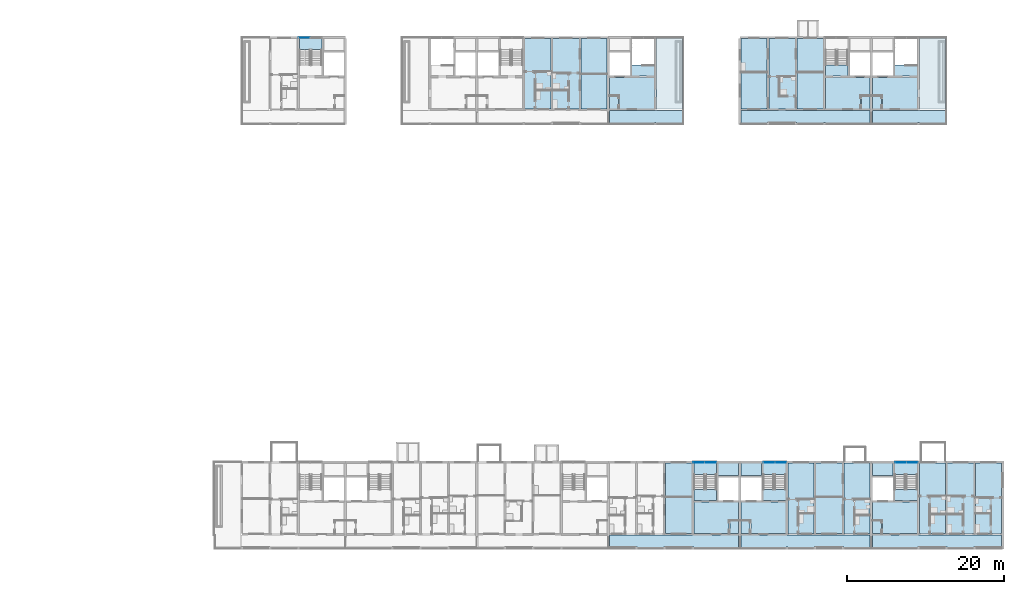
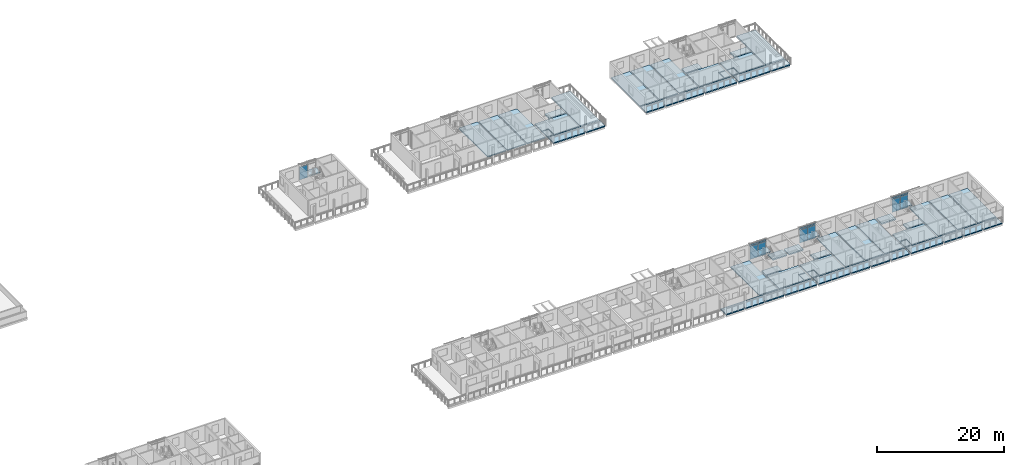
# One storey, part 34 of 87: 46 slabs, 13 plates, 8 elements without a shape of their own.
"""IFC4 building model written with IfcOpenShell, lengths in metres."""

from ifc_helpers import new_model, si_unit, direction, frame, origin, origin_2d, place, context, subcontext, project, spatial, polyline, rectangle, outline, extrude, material, layer, layer_set, type_object, element, aggregate, save


model = new_model("IFC4")

# Units and contexts
model_context = context("Model", 3, precision=1e-05, world=origin(), true_north=direction((0.0, 1.0)))
body_context = subcontext(model_context, "Body", "Model", "MODEL_VIEW")
ifc_project = project(units=[si_unit("LENGTHUNIT", "METRE"), si_unit("AREAUNIT", "SQUARE_METRE"), si_unit("VOLUMEUNIT", "CUBIC_METRE"), si_unit("PLANEANGLEUNIT", "RADIAN"), si_unit("MASSUNIT", "GRAM", prefix="KILO")], contexts=[model_context])

# Site, building, storey
site_placement = place(None, origin())
site = spatial("IfcSite", under=ifc_project, at=site_placement, CompositionType="ELEMENT")
building_placement = place(site_placement, origin())
building = spatial("IfcBuilding", under=site, at=building_placement, Name="Ridgestep Commons", CompositionType="ELEMENT")
storey_placement = place(building_placement, frame((0.0, 0.0, 27.0)))
storey = spatial("IfcBuildingStorey", under=building, at=storey_placement, Name="L09", CompositionType="ELEMENT", Elevation=27.0)

# Slabs
ifc_material_1 = material(Name="Precast concrete C40/50", Category="concrete")
ifc_layer_1 = layer(ifc_material_1, 0.199951171875)
ifc_layer_set_1 = layer_set([ifc_layer_1], Name="Gallery slab 200")
slab_type_1 = type_object("IfcSlabType", Name="Gallery slab 200", PredefinedType="FLOOR", material=ifc_layer_set_1)
slab_1_placement = place(storey_placement, frame((0.0, 0.0, -0.199951171875)))
element("IfcSlab", 1, at=slab_1_placement, inside=storey, type_object=slab_type_1, Name="Gallery slab C4 L09", PredefinedType="FLOOR", context=body_context, shape_type="SweptSolid", body=[
    extrude(outline(polyline([(197.35009765625, 67.800048828125), (197.35009765625, 66.0), (203.074951171875, 66.0), (203.074951171875, 66.25), (203.324951171875, 66.25), (203.324951171875, 66.0), (206.675048828125, 66.0), (206.675048828125, 66.25), (206.800048828125, 66.25), (206.800048828125, 67.800048828125), (197.35009765625, 67.800048828125)])), origin(), (0.0, 0.0, 1.0), 0.199951171875),
])
slab_2_placement = place(storey_placement, frame((0.0, 0.0, -0.199951171875)))
element("IfcSlab", 2, at=slab_2_placement, inside=storey, type_object=slab_type_1, Name="Gallery slab C5 L09", PredefinedType="FLOOR", context=body_context, shape_type="SweptSolid", body=[
    extrude(outline(polyline([(230.64990234375, 67.800048828125), (214.14990234375, 67.800048828125), (214.14990234375, 66.0), (217.47509765625, 66.0), (217.47509765625, 66.25), (217.72509765625, 66.25), (217.72509765625, 66.0), (221.074951171875, 66.0), (221.074951171875, 66.25), (221.324951171875, 66.25), (221.324951171875, 66.0), (224.675048828125, 66.0), (224.675048828125, 66.25), (224.925048828125, 66.25), (224.925048828125, 66.0), (230.64990234375, 66.0), (230.64990234375, 67.800048828125)])), origin(), (0.0, 0.0, 1.0), 0.199951171875),
])
slab_3_placement = place(storey_placement, frame((0.0, 0.0, -0.199951171875)))
element("IfcSlab", 3, at=slab_3_placement, inside=storey, type_object=slab_type_1, Name="Gallery slab C6 L09", PredefinedType="FLOOR", context=body_context, shape_type="SweptSolid", body=[
    extrude(outline(polyline([(230.949951171875, 67.800048828125), (230.949951171875, 66.0), (236.675048828125, 66.0), (236.675048828125, 66.25), (236.925048828125, 66.25), (236.925048828125, 66.0), (240.27490234375, 66.0), (240.27490234375, 66.25), (240.39990234375, 66.25), (240.39990234375, 67.800048828125), (230.949951171875, 67.800048828125)])), origin(), (0.0, 0.0, 1.0), 0.199951171875),
])
slab_4_placement = place(storey_placement, frame((0.0, 0.0, -0.199951171875)))
element("IfcSlab", 4, at=slab_4_placement, inside=storey, type_object=slab_type_1, Name="Gallery slab D4 L09", PredefinedType="FLOOR", context=body_context, shape_type="SweptSolid", body=[
    extrude(outline(polyline([(213.85009765625, 13.550048828125), (197.35009765625, 13.550048828125), (197.35009765625, 11.75), (200.675048828125, 11.75), (200.675048828125, 12.0), (200.925048828125, 12.0), (200.925048828125, 11.75), (204.27490234375, 11.75), (204.27490234375, 12.0), (204.52490234375, 12.0), (204.52490234375, 11.75), (207.875, 11.75), (207.875, 12.0), (208.125, 12.0), (208.125, 11.75), (213.85009765625, 11.75), (213.85009765625, 13.550048828125)])), origin(), (0.0, 0.0, 1.0), 0.199951171875),
])
slab_5_placement = place(storey_placement, frame((0.0, 0.0, -0.199951171875)))
element("IfcSlab", 5, at=slab_5_placement, inside=storey, type_object=slab_type_1, Name="Gallery slab D5 L09", PredefinedType="FLOOR", context=body_context, shape_type="SweptSolid", body=[
    extrude(outline(polyline([(230.64990234375, 13.550048828125), (214.14990234375, 13.550048828125), (214.14990234375, 11.75), (219.875, 11.75), (219.875, 12.0), (220.125, 12.0), (220.125, 11.75), (223.47509765625, 11.75), (223.47509765625, 12.0), (223.72509765625, 12.0), (223.72509765625, 11.75), (227.074951171875, 11.75), (227.074951171875, 12.0), (227.324951171875, 12.0), (227.324951171875, 11.75), (230.64990234375, 11.75), (230.64990234375, 13.550048828125)])), origin(), (0.0, 0.0, 1.0), 0.199951171875),
])
slab_6_placement = place(storey_placement, frame((0.0, 0.0, -0.199951171875)))
element("IfcSlab", 6, at=slab_6_placement, inside=storey, type_object=slab_type_1, Name="Gallery slab D6 L09", PredefinedType="FLOOR", context=body_context, shape_type="SweptSolid", body=[
    extrude(outline(polyline([(247.449951171875, 13.550048828125), (230.949951171875, 13.550048828125), (230.949951171875, 11.75), (236.675048828125, 11.75), (236.675048828125, 12.0), (236.925048828125, 12.0), (236.925048828125, 11.75), (240.27490234375, 11.75), (240.27490234375, 12.0), (240.52490234375, 12.0), (240.52490234375, 11.75), (243.875, 11.75), (243.875, 12.0), (244.125, 12.0), (244.125, 11.75), (247.449951171875, 11.75), (247.449951171875, 13.550048828125)])), origin(), (0.0, 0.0, 1.0), 0.199951171875),
])

# Curtain wall, plates
ifc_material_2 = material(Name="Aluminium 6063-T6 and glass", Category="aluminium")
curtain_wall_type = type_object("IfcCurtainWallType", Name="Curtain wall stair strip", PredefinedType="NOTDEFINED", material=ifc_material_2)
curtain_wall_1_placement = place(storey_placement, origin())
curtain_wall_1 = element("IfcCurtainWall", 7, at=curtain_wall_1_placement, inside=storey, type_object=curtain_wall_type, Name="Curtain wall D4C level 09", PredefinedType="NOTDEFINED")
ifc_material_3 = material(Name="Glass laminated 6/16/6 low-emissivity", Category="glass")
ifc_layer_2 = layer(ifc_material_3, 0.028076171875)
ifc_layer_set_2 = layer_set([ifc_layer_2], Name="Glazing panel 28")
plate_type_1 = type_object("IfcPlateType", Name="Glazing panel 28", PredefinedType="CURTAIN_PANEL", material=ifc_layer_set_2)
plate_1_placement = place(storey_placement, frame((208.771240234375, 22.830078125, 0.06005859375), z_axis=(0.0, 0.0, 1.0), x_axis=(1.0, 0.0, 0.0)))
plate_1 = element("IfcPlate", 8, at=plate_1_placement, type_object=plate_type_1, Name="CW1 panel 1.1", PredefinedType="CURTAIN_PANEL", context=body_context, shape_type="SweptSolid", body=[
    extrude(rectangle(XDim=1.422607421875, YDim=0.028076171875, at=origin_2d()), origin(), (0.0, 0.0, 1.0), 2.5),
])
plate_2_placement = place(storey_placement, frame((210.253662109375, 22.830078125, 0.06005859375), z_axis=(0.0, 0.0, 1.0), x_axis=(1.0, 0.0, 0.0)))
plate_2 = element("IfcPlate", 9, at=plate_2_placement, type_object=plate_type_1, Name="CW1 panel 2.1", PredefinedType="CURTAIN_PANEL", context=body_context, shape_type="SweptSolid", body=[
    extrude(rectangle(XDim=1.422607421875, YDim=0.028076171875, at=origin_2d()), origin(), (0.0, 0.0, 1.0), 2.5),
])

curtain_wall_2_placement = place(storey_placement, origin())
curtain_wall_2 = element("IfcCurtainWall", 10, at=curtain_wall_2_placement, inside=storey, type_object=curtain_wall_type, Name="Curtain wall D5C level 09", PredefinedType="NOTDEFINED")
plate_3_placement = place(storey_placement, frame((217.746337890625, 22.830078125, 0.06005859375), z_axis=(0.0, 0.0, 1.0), x_axis=(1.0, 0.0, 0.0)))
plate_3 = element("IfcPlate", 11, at=plate_3_placement, type_object=plate_type_1, Name="CW1 panel 1.1", PredefinedType="CURTAIN_PANEL", context=body_context, shape_type="SweptSolid", body=[
    extrude(rectangle(XDim=1.422607421875, YDim=0.028076171875, at=origin_2d()), origin(), (0.0, 0.0, 1.0), 2.5),
])
plate_4_placement = place(storey_placement, frame((219.228759765625, 22.830078125, 0.06005859375), z_axis=(0.0, 0.0, 1.0), x_axis=(1.0, 0.0, 0.0)))
plate_4 = element("IfcPlate", 12, at=plate_4_placement, type_object=plate_type_1, Name="CW1 panel 2.1", PredefinedType="CURTAIN_PANEL", context=body_context, shape_type="SweptSolid", body=[
    extrude(rectangle(XDim=1.422607421875, YDim=0.028076171875, at=origin_2d()), origin(), (0.0, 0.0, 1.0), 2.5),
])

curtain_wall_3_placement = place(storey_placement, origin())
curtain_wall_3 = element("IfcCurtainWall", 13, at=curtain_wall_3_placement, inside=storey, type_object=curtain_wall_type, Name="Curtain wall D6C level 09", PredefinedType="NOTDEFINED")
plate_5_placement = place(storey_placement, frame((234.546142578125, 22.830078125, 0.06005859375), z_axis=(0.0, 0.0, 1.0), x_axis=(1.0, 0.0, 0.0)))
plate_5 = element("IfcPlate", 14, at=plate_5_placement, type_object=plate_type_1, Name="CW1 panel 1.1", PredefinedType="CURTAIN_PANEL", context=body_context, shape_type="SweptSolid", body=[
    extrude(rectangle(XDim=1.422607421875, YDim=0.028076171875, at=origin_2d()), origin(), (0.0, 0.0, 1.0), 2.5),
])
plate_6_placement = place(storey_placement, frame((236.02880859375, 22.830078125, 0.06005859375), z_axis=(0.0, 0.0, 1.0), x_axis=(1.0, 0.0, 0.0)))
plate_6 = element("IfcPlate", 15, at=plate_6_placement, type_object=plate_type_1, Name="CW1 panel 2.1", PredefinedType="CURTAIN_PANEL", context=body_context, shape_type="SweptSolid", body=[
    extrude(rectangle(XDim=1.422607421875, YDim=0.028076171875, at=origin_2d()), origin(), (0.0, 0.0, 1.0), 2.5),
])

# Curtain wall, plate
curtain_wall_4_placement = place(storey_placement, origin())
curtain_wall_4 = element("IfcCurtainWall", 16, at=curtain_wall_4_placement, inside=storey, type_object=curtain_wall_type, Name="Curtain wall C1C level 09", PredefinedType="NOTDEFINED")
plate_7_placement = place(storey_placement, frame((158.371337890625, 77.080078125, 0.06005859375), z_axis=(0.0, 0.0, 1.0), x_axis=(1.0, 0.0, 0.0)))
plate_7 = element("IfcPlate", 17, at=plate_7_placement, type_object=plate_type_1, Name="CW1 panel 1.1", PredefinedType="CURTAIN_PANEL", context=body_context, shape_type="SweptSolid", body=[
    extrude(rectangle(XDim=1.422607421875, YDim=0.028076171875, at=origin_2d()), origin(), (0.0, 0.0, 1.0), 2.5),
])
aggregate(curtain_wall_4, [plate_7])

# Slabs
ifc_material_4 = material(Name="Precast concrete C50/60", Category="concrete")
ifc_layer_3 = layer(ifc_material_4, 0.199951171875)
ifc_layer_set_3 = layer_set([ifc_layer_3], Name="Hollow-core plank 200")
slab_type_2 = type_object("IfcSlabType", Name="Hollow-core plank 200", PredefinedType="FLOOR", material=ifc_layer_set_3)
slab_7_placement = place(storey_placement, frame((0.0, 0.0, -0.199951171875)))
element("IfcSlab", 18, at=slab_7_placement, inside=storey, type_object=slab_type_2, Name="Floor plank C3T3 L09", PredefinedType="FLOOR", context=body_context, shape_type="SweptSolid", body=[
    extrude(outline(polyline([(189.89990234375, 68.0), (189.89990234375, 77.0), (186.52490234375, 77.0), (186.52490234375, 68.0), (189.89990234375, 68.0)])), origin(), (0.0, 0.0, 1.0), 0.199951171875),
])
slab_8_placement = place(storey_placement, frame((0.0, 0.0, -0.199951171875)))
element("IfcSlab", 19, at=slab_8_placement, inside=storey, type_object=slab_type_2, Name="Floor plank C3T2 L09", PredefinedType="FLOOR", context=body_context, shape_type="SweptSolid", body=[
    extrude(outline(polyline([(193.5, 68.0), (193.5, 77.0), (190.10009765625, 77.0), (190.10009765625, 68.0), (193.5, 68.0)])), origin(), (0.0, 0.0, 1.0), 0.199951171875),
])
slab_9_placement = place(storey_placement, frame((0.0, 0.0, -0.199951171875)))
element("IfcSlab", 20, at=slab_9_placement, inside=storey, type_object=slab_type_2, Name="Floor plank C3T1 L09", PredefinedType="FLOOR", context=body_context, shape_type="SweptSolid", body=[
    extrude(outline(polyline([(197.050048828125, 68.0), (197.050048828125, 77.0), (193.699951171875, 77.0), (193.699951171875, 68.0), (197.050048828125, 68.0)])), origin(), (0.0, 0.0, 1.0), 0.199951171875),
])
slab_10_placement = place(storey_placement, frame((0.0, 0.0, -0.199951171875)))
element("IfcSlab", 21, at=slab_10_placement, inside=storey, type_object=slab_type_2, Name="Floor plank C5T1 L09", PredefinedType="FLOOR", context=body_context, shape_type="SweptSolid", body=[
    extrude(outline(polyline([(217.5, 68.0), (217.5, 77.0), (214.14990234375, 77.0), (214.14990234375, 68.0), (217.5, 68.0)])), origin(), (0.0, 0.0, 1.0), 0.199951171875),
])
slab_11_placement = place(storey_placement, frame((0.0, 0.0, -0.199951171875)))
element("IfcSlab", 22, at=slab_11_placement, inside=storey, type_object=slab_type_2, Name="Floor plank C5T2 L09", PredefinedType="FLOOR", context=body_context, shape_type="SweptSolid", body=[
    extrude(outline(polyline([(221.10009765625, 68.0), (221.10009765625, 77.0), (217.699951171875, 77.0), (217.699951171875, 68.0), (221.10009765625, 68.0)])), origin(), (0.0, 0.0, 1.0), 0.199951171875),
])
slab_12_placement = place(storey_placement, frame((0.0, 0.0, -0.199951171875)))
element("IfcSlab", 23, at=slab_12_placement, inside=storey, type_object=slab_type_2, Name="Floor plank C5T3 L09", PredefinedType="FLOOR", context=body_context, shape_type="SweptSolid", body=[
    extrude(outline(polyline([(224.675048828125, 68.0), (224.675048828125, 77.0), (221.300048828125, 77.0), (221.300048828125, 68.0), (224.675048828125, 68.0)])), origin(), (0.0, 0.0, 1.0), 0.199951171875),
])
slab_13_placement = place(storey_placement, frame((0.0, 0.0, -0.199951171875)))
element("IfcSlab", 24, at=slab_13_placement, inside=storey, type_object=slab_type_2, Name="Floor plank D4T3 L09", PredefinedType="FLOOR", context=body_context, shape_type="SweptSolid", body=[
    extrude(outline(polyline([(207.875, 13.75), (207.875, 22.75), (204.5, 22.75), (204.5, 13.75), (207.875, 13.75)])), origin(), (0.0, 0.0, 1.0), 0.199951171875),
])
slab_14_placement = place(storey_placement, frame((0.0, 0.0, -0.199951171875)))
element("IfcSlab", 25, at=slab_14_placement, inside=storey, type_object=slab_type_2, Name="Floor plank D5T3 L09", PredefinedType="FLOOR", context=body_context, shape_type="SweptSolid", body=[
    extrude(outline(polyline([(223.5, 13.75), (223.5, 22.75), (220.125, 22.75), (220.125, 13.75), (223.5, 13.75)])), origin(), (0.0, 0.0, 1.0), 0.199951171875),
])
slab_15_placement = place(storey_placement, frame((0.0, 0.0, -0.199951171875)))
element("IfcSlab", 26, at=slab_15_placement, inside=storey, type_object=slab_type_2, Name="Floor plank D5T2 L09", PredefinedType="FLOOR", context=body_context, shape_type="SweptSolid", body=[
    extrude(outline(polyline([(227.10009765625, 13.75), (227.10009765625, 22.75), (223.699951171875, 22.75), (223.699951171875, 13.75), (227.10009765625, 13.75)])), origin(), (0.0, 0.0, 1.0), 0.199951171875),
])
slab_16_placement = place(storey_placement, frame((0.0, 0.0, -0.199951171875)))
element("IfcSlab", 27, at=slab_16_placement, inside=storey, type_object=slab_type_2, Name="Floor plank D5T1 L09", PredefinedType="FLOOR", context=body_context, shape_type="SweptSolid", body=[
    extrude(outline(polyline([(230.64990234375, 13.75), (230.64990234375, 22.75), (227.300048828125, 22.75), (227.300048828125, 13.75), (230.64990234375, 13.75)])), origin(), (0.0, 0.0, 1.0), 0.199951171875),
])
slab_17_placement = place(storey_placement, frame((0.0, 0.0, -0.199951171875)))
element("IfcSlab", 28, at=slab_17_placement, inside=storey, type_object=slab_type_2, Name="Floor plank D6T3 L09", PredefinedType="FLOOR", context=body_context, shape_type="SweptSolid", body=[
    extrude(outline(polyline([(240.300048828125, 13.75), (240.300048828125, 22.75), (236.925048828125, 22.75), (236.925048828125, 13.75), (240.300048828125, 13.75)])), origin(), (0.0, 0.0, 1.0), 0.199951171875),
])
slab_18_placement = place(storey_placement, frame((0.0, 0.0, -0.199951171875)))
element("IfcSlab", 29, at=slab_18_placement, inside=storey, type_object=slab_type_2, Name="Floor plank D6T2 L09", PredefinedType="FLOOR", context=body_context, shape_type="SweptSolid", body=[
    extrude(outline(polyline([(243.89990234375, 13.75), (243.89990234375, 22.75), (240.5, 22.75), (240.5, 13.75), (243.89990234375, 13.75)])), origin(), (0.0, 0.0, 1.0), 0.199951171875),
])
slab_19_placement = place(storey_placement, frame((0.0, 0.0, -0.199951171875)))
element("IfcSlab", 30, at=slab_19_placement, inside=storey, type_object=slab_type_2, Name="Floor plank D6T1 L09", PredefinedType="FLOOR", context=body_context, shape_type="SweptSolid", body=[
    extrude(outline(polyline([(247.449951171875, 13.75), (247.449951171875, 22.75), (244.10009765625, 22.75), (244.10009765625, 13.75), (247.449951171875, 13.75)])), origin(), (0.0, 0.0, 1.0), 0.199951171875),
])
ifc_material_5 = material(Name="Precast concrete C50/60", Category="concrete")
ifc_layer_4 = layer(ifc_material_5, 0.25)
ifc_layer_set_4 = layer_set([ifc_layer_4], Name="Hollow-core plank 250")
slab_type_3 = type_object("IfcSlabType", Name="Hollow-core plank 250", PredefinedType="FLOOR", material=ifc_layer_set_4)
slab_20_placement = place(storey_placement, frame((0.0, 0.0, -0.25)))
element("IfcSlab", 31, at=slab_20_placement, inside=storey, type_object=slab_type_3, Name="Floor plank C4C L09", PredefinedType="FLOOR", context=body_context, shape_type="SweptSolid", body=[
    extrude(outline(polyline([(198.60009765625, 68.0), (203.074951171875, 68.0), (203.074951171875, 72.0), (197.35009765625, 72.0), (197.35009765625, 69.719970703125), (198.47998046875, 69.719970703125), (198.60009765625, 69.719970703125), (198.60009765625, 68.0)])), origin(), (0.0, 0.0, 1.0), 0.25),
])
slab_21_placement = place(storey_placement, frame((0.0, 0.0, -0.25)))
element("IfcSlab", 32, at=slab_21_placement, inside=storey, type_object=slab_type_3, Name="Floor plank C4C L09", PredefinedType="FLOOR", context=body_context, shape_type="SweptSolid", body=[
    extrude(outline(polyline([(203.074951171875, 72.199951171875), (203.074951171875, 73.60009765625), (200.175048828125, 73.60009765625), (200.175048828125, 72.199951171875), (203.074951171875, 72.199951171875)])), origin(), (0.0, 0.0, 1.0), 0.25),
])
slab_22_placement = place(storey_placement, frame((0.0, 0.0, -0.25)))
element("IfcSlab", 33, at=slab_22_placement, inside=storey, type_object=slab_type_3, Name="Floor plank C4C L09", PredefinedType="FLOOR", context=body_context, shape_type="SweptSolid", body=[
    extrude(outline(polyline([(198.47998046875, 69.60009765625), (197.35009765625, 69.60009765625), (197.35009765625, 68.0), (198.47998046875, 68.0), (198.47998046875, 69.60009765625)])), origin(), (0.0, 0.0, 1.0), 0.25),
])
slab_23_placement = place(storey_placement, frame((0.0, 0.0, -0.25)))
element("IfcSlab", 34, at=slab_23_placement, inside=storey, type_object=slab_type_3, Name="Floor plank C5C L09", PredefinedType="FLOOR", context=body_context, shape_type="SweptSolid", body=[
    extrude(outline(polyline([(229.52001953125, 69.719970703125), (230.64990234375, 69.719970703125), (230.64990234375, 72.0), (224.925048828125, 72.0), (224.925048828125, 68.0), (229.39990234375, 68.0), (229.39990234375, 69.719970703125), (229.52001953125, 69.719970703125)])), origin(), (0.0, 0.0, 1.0), 0.25),
])
slab_24_placement = place(storey_placement, frame((0.0, 0.0, -0.25)))
element("IfcSlab", 35, at=slab_24_placement, inside=storey, type_object=slab_type_3, Name="Floor plank C5C L09", PredefinedType="FLOOR", context=body_context, shape_type="SweptSolid", body=[
    extrude(outline(polyline([(227.824951171875, 72.199951171875), (227.824951171875, 73.60009765625), (224.925048828125, 73.60009765625), (224.925048828125, 72.199951171875), (227.824951171875, 72.199951171875)])), origin(), (0.0, 0.0, 1.0), 0.25),
])
slab_25_placement = place(storey_placement, frame((0.0, 0.0, -0.25)))
element("IfcSlab", 36, at=slab_25_placement, inside=storey, type_object=slab_type_3, Name="Floor plank C5C L09", PredefinedType="FLOOR", context=body_context, shape_type="SweptSolid", body=[
    extrude(outline(polyline([(229.52001953125, 68.0), (230.64990234375, 68.0), (230.64990234375, 69.60009765625), (229.52001953125, 69.60009765625), (229.52001953125, 68.0)])), origin(), (0.0, 0.0, 1.0), 0.25),
])
slab_26_placement = place(storey_placement, frame((0.0, 0.0, -0.25)))
element("IfcSlab", 37, at=slab_26_placement, inside=storey, type_object=slab_type_3, Name="Floor plank C6C L09", PredefinedType="FLOOR", context=body_context, shape_type="SweptSolid", body=[
    extrude(outline(polyline([(232.199951171875, 68.0), (236.675048828125, 68.0), (236.675048828125, 72.0), (230.949951171875, 72.0), (230.949951171875, 69.719970703125), (232.080078125, 69.719970703125), (232.199951171875, 69.719970703125), (232.199951171875, 68.0)])), origin(), (0.0, 0.0, 1.0), 0.25),
])
slab_27_placement = place(storey_placement, frame((0.0, 0.0, -0.25)))
element("IfcSlab", 38, at=slab_27_placement, inside=storey, type_object=slab_type_3, Name="Floor plank C6C L09", PredefinedType="FLOOR", context=body_context, shape_type="SweptSolid", body=[
    extrude(outline(polyline([(236.675048828125, 72.199951171875), (236.675048828125, 73.60009765625), (233.77490234375, 73.60009765625), (233.77490234375, 72.199951171875), (236.675048828125, 72.199951171875)])), origin(), (0.0, 0.0, 1.0), 0.25),
])
slab_28_placement = place(storey_placement, frame((0.0, 0.0, -0.25)))
element("IfcSlab", 39, at=slab_28_placement, inside=storey, type_object=slab_type_3, Name="Floor plank C6C L09", PredefinedType="FLOOR", context=body_context, shape_type="SweptSolid", body=[
    extrude(outline(polyline([(232.080078125, 69.60009765625), (230.949951171875, 69.60009765625), (230.949951171875, 68.0), (232.080078125, 68.0), (232.080078125, 69.60009765625)])), origin(), (0.0, 0.0, 1.0), 0.25),
])
slab_29_placement = place(storey_placement, frame((0.0, 0.0, -0.25)))
element("IfcSlab", 40, at=slab_29_placement, inside=storey, type_object=slab_type_3, Name="Floor plank D4C L09", PredefinedType="FLOOR", context=body_context, shape_type="SweptSolid", body=[
    extrude(outline(polyline([(212.719970703125, 15.469970703125), (213.85009765625, 15.469970703125), (213.85009765625, 17.75), (208.125, 17.75), (208.125, 13.75), (212.60009765625, 13.75), (212.60009765625, 15.469970703125), (212.719970703125, 15.469970703125)])), origin(), (0.0, 0.0, 1.0), 0.25),
])
slab_30_placement = place(storey_placement, frame((0.0, 0.0, -0.25)))
element("IfcSlab", 41, at=slab_30_placement, inside=storey, type_object=slab_type_3, Name="Floor plank D4C L09", PredefinedType="FLOOR", context=body_context, shape_type="SweptSolid", body=[
    extrude(outline(polyline([(213.85009765625, 21.14990234375), (213.85009765625, 22.75), (211.22509765625, 22.75), (211.22509765625, 21.14990234375), (213.85009765625, 21.14990234375)])), origin(), (0.0, 0.0, 1.0), 0.25),
])
slab_31_placement = place(storey_placement, frame((0.0, 0.0, -0.25)))
element("IfcSlab", 42, at=slab_31_placement, inside=storey, type_object=slab_type_3, Name="Floor plank D4C L09", PredefinedType="FLOOR", context=body_context, shape_type="SweptSolid", body=[
    extrude(outline(polyline([(211.02490234375, 17.949951171875), (211.02490234375, 19.35009765625), (208.125, 19.35009765625), (208.125, 17.949951171875), (211.02490234375, 17.949951171875)])), origin(), (0.0, 0.0, 1.0), 0.25),
])
slab_32_placement = place(storey_placement, frame((0.0, 0.0, -0.25)))
element("IfcSlab", 43, at=slab_32_placement, inside=storey, type_object=slab_type_3, Name="Floor plank D4C L09", PredefinedType="FLOOR", context=body_context, shape_type="SweptSolid", body=[
    extrude(outline(polyline([(212.719970703125, 13.75), (213.85009765625, 13.75), (213.85009765625, 15.35009765625), (212.719970703125, 15.35009765625), (212.719970703125, 13.75)])), origin(), (0.0, 0.0, 1.0), 0.25),
])
slab_33_placement = place(storey_placement, frame((0.0, 0.0, -0.25)))
element("IfcSlab", 44, at=slab_33_placement, inside=storey, type_object=slab_type_3, Name="Floor plank D5C L09", PredefinedType="FLOOR", context=body_context, shape_type="SweptSolid", body=[
    extrude(outline(polyline([(215.39990234375, 13.75), (219.875, 13.75), (219.875, 17.75), (214.14990234375, 17.75), (214.14990234375, 15.469970703125), (215.280029296875, 15.469970703125), (215.39990234375, 15.469970703125), (215.39990234375, 13.75)])), origin(), (0.0, 0.0, 1.0), 0.25),
])
slab_34_placement = place(storey_placement, frame((0.0, 0.0, -0.25)))
element("IfcSlab", 45, at=slab_34_placement, inside=storey, type_object=slab_type_3, Name="Floor plank D5C L09", PredefinedType="FLOOR", context=body_context, shape_type="SweptSolid", body=[
    extrude(outline(polyline([(216.77490234375, 22.75), (214.14990234375, 22.75), (214.14990234375, 21.14990234375), (216.77490234375, 21.14990234375), (216.77490234375, 22.75)])), origin(), (0.0, 0.0, 1.0), 0.25),
])
slab_35_placement = place(storey_placement, frame((0.0, 0.0, -0.25)))
element("IfcSlab", 46, at=slab_35_placement, inside=storey, type_object=slab_type_3, Name="Floor plank D5C L09", PredefinedType="FLOOR", context=body_context, shape_type="SweptSolid", body=[
    extrude(outline(polyline([(219.875, 17.949951171875), (219.875, 19.35009765625), (216.97509765625, 19.35009765625), (216.97509765625, 17.949951171875), (219.875, 17.949951171875)])), origin(), (0.0, 0.0, 1.0), 0.25),
])
slab_36_placement = place(storey_placement, frame((0.0, 0.0, -0.25)))
element("IfcSlab", 47, at=slab_36_placement, inside=storey, type_object=slab_type_3, Name="Floor plank D5C L09", PredefinedType="FLOOR", context=body_context, shape_type="SweptSolid", body=[
    extrude(outline(polyline([(215.280029296875, 15.35009765625), (214.14990234375, 15.35009765625), (214.14990234375, 13.75), (215.280029296875, 13.75), (215.280029296875, 15.35009765625)])), origin(), (0.0, 0.0, 1.0), 0.25),
])
slab_37_placement = place(storey_placement, frame((0.0, 0.0, -0.25)))
element("IfcSlab", 48, at=slab_37_placement, inside=storey, type_object=slab_type_3, Name="Floor plank D6C L09", PredefinedType="FLOOR", context=body_context, shape_type="SweptSolid", body=[
    extrude(outline(polyline([(232.199951171875, 13.75), (236.675048828125, 13.75), (236.675048828125, 17.75), (230.949951171875, 17.75), (230.949951171875, 15.469970703125), (232.080078125, 15.469970703125), (232.199951171875, 15.469970703125), (232.199951171875, 13.75)])), origin(), (0.0, 0.0, 1.0), 0.25),
])
slab_38_placement = place(storey_placement, frame((0.0, 0.0, -0.25)))
element("IfcSlab", 49, at=slab_38_placement, inside=storey, type_object=slab_type_3, Name="Floor plank D6C L09", PredefinedType="FLOOR", context=body_context, shape_type="SweptSolid", body=[
    extrude(outline(polyline([(233.574951171875, 22.75), (230.949951171875, 22.75), (230.949951171875, 21.14990234375), (233.574951171875, 21.14990234375), (233.574951171875, 22.75)])), origin(), (0.0, 0.0, 1.0), 0.25),
])
slab_39_placement = place(storey_placement, frame((0.0, 0.0, -0.25)))
element("IfcSlab", 50, at=slab_39_placement, inside=storey, type_object=slab_type_3, Name="Floor plank D6C L09", PredefinedType="FLOOR", context=body_context, shape_type="SweptSolid", body=[
    extrude(outline(polyline([(236.675048828125, 17.949951171875), (236.675048828125, 19.35009765625), (233.77490234375, 19.35009765625), (233.77490234375, 17.949951171875), (236.675048828125, 17.949951171875)])), origin(), (0.0, 0.0, 1.0), 0.25),
])
slab_40_placement = place(storey_placement, frame((0.0, 0.0, -0.25)))
element("IfcSlab", 51, at=slab_40_placement, inside=storey, type_object=slab_type_3, Name="Floor plank D6C L09", PredefinedType="FLOOR", context=body_context, shape_type="SweptSolid", body=[
    extrude(outline(polyline([(232.080078125, 15.35009765625), (230.949951171875, 15.35009765625), (230.949951171875, 13.75), (232.080078125, 13.75), (232.080078125, 15.35009765625)])), origin(), (0.0, 0.0, 1.0), 0.25),
])
ifc_material_6 = material(Name="Precast concrete C50/60", Category="concrete")
ifc_layer_5 = layer(ifc_material_6, 0.25)
ifc_layer_set_5 = layer_set([ifc_layer_5], Name="Roof slab 250")
slab_type_4 = type_object("IfcSlabType", Name="Roof slab 250", PredefinedType="ROOF", material=ifc_layer_set_5)
slab_41_placement = place(storey_placement, frame((0.0, 0.0, -0.25)))
element("IfcSlab", 52, at=slab_41_placement, inside=storey, type_object=slab_type_4, Name="Terrace slab C4T3", PredefinedType="ROOF", context=body_context, shape_type="SweptSolid", body=[
    extrude(outline(polyline([(206.699951171875, 68.0), (206.699951171875, 77.0), (203.324951171875, 77.0), (203.324951171875, 68.0), (206.699951171875, 68.0)])), origin(), (0.0, 0.0, 1.0), 0.25),
])
slab_42_placement = place(storey_placement, frame((0.0, 0.0, -0.25)))
element("IfcSlab", 53, at=slab_42_placement, inside=storey, type_object=slab_type_4, Name="Terrace slab C6T3", PredefinedType="ROOF", context=body_context, shape_type="SweptSolid", body=[
    extrude(outline(polyline([(240.300048828125, 68.0), (240.300048828125, 77.0), (236.925048828125, 77.0), (236.925048828125, 68.0), (240.300048828125, 68.0)])), origin(), (0.0, 0.0, 1.0), 0.25),
])

# Plate
ifc_material_7 = material(Name="Aluminium 6063-T6 and mineral wool", Category="aluminium")
ifc_layer_6 = layer(ifc_material_7, 0.0400390625)
ifc_layer_set_6 = layer_set([ifc_layer_6], Name="Spandrel panel 40")
plate_type_2 = type_object("IfcPlateType", Name="Spandrel panel 40", PredefinedType="CURTAIN_PANEL", material=ifc_layer_set_6)
plate_8_placement = place(storey_placement, frame((208.771240234375, 22.830078125, 2.6201171875), z_axis=(0.0, 0.0, 1.0), x_axis=(1.0, 0.0, 0.0)))
plate_8 = element("IfcPlate", 54, at=plate_8_placement, type_object=plate_type_2, Name="CW1 panel 1.2", PredefinedType="CURTAIN_PANEL", context=body_context, shape_type="SweptSolid", body=[
    extrude(rectangle(XDim=1.422607421875, YDim=0.0400390625, at=origin_2d()), origin(), (0.0, 0.0, 1.0), 0.320068359375),
])

plate_9_placement = place(storey_placement, frame((210.253662109375, 22.830078125, 2.6201171875), z_axis=(0.0, 0.0, 1.0), x_axis=(1.0, 0.0, 0.0)))
plate_9 = element("IfcPlate", 55, at=plate_9_placement, type_object=plate_type_2, Name="CW1 panel 2.2", PredefinedType="CURTAIN_PANEL", context=body_context, shape_type="SweptSolid", body=[
    extrude(rectangle(XDim=1.422607421875, YDim=0.0400390625, at=origin_2d()), origin(), (0.0, 0.0, 1.0), 0.320068359375),
])

aggregate(curtain_wall_1, [plate_1, plate_8, plate_2, plate_9])

plate_10_placement = place(storey_placement, frame((217.746337890625, 22.830078125, 2.6201171875), z_axis=(0.0, 0.0, 1.0), x_axis=(1.0, 0.0, 0.0)))
plate_10 = element("IfcPlate", 56, at=plate_10_placement, type_object=plate_type_2, Name="CW1 panel 1.2", PredefinedType="CURTAIN_PANEL", context=body_context, shape_type="SweptSolid", body=[
    extrude(rectangle(XDim=1.422607421875, YDim=0.0400390625, at=origin_2d()), origin(), (0.0, 0.0, 1.0), 0.320068359375),
])

plate_11_placement = place(storey_placement, frame((219.228759765625, 22.830078125, 2.6201171875), z_axis=(0.0, 0.0, 1.0), x_axis=(1.0, 0.0, 0.0)))
plate_11 = element("IfcPlate", 57, at=plate_11_placement, type_object=plate_type_2, Name="CW1 panel 2.2", PredefinedType="CURTAIN_PANEL", context=body_context, shape_type="SweptSolid", body=[
    extrude(rectangle(XDim=1.422607421875, YDim=0.0400390625, at=origin_2d()), origin(), (0.0, 0.0, 1.0), 0.320068359375),
])

aggregate(curtain_wall_2, [plate_3, plate_10, plate_4, plate_11])

plate_12_placement = place(storey_placement, frame((234.546142578125, 22.830078125, 2.6201171875), z_axis=(0.0, 0.0, 1.0), x_axis=(1.0, 0.0, 0.0)))
plate_12 = element("IfcPlate", 58, at=plate_12_placement, type_object=plate_type_2, Name="CW1 panel 1.2", PredefinedType="CURTAIN_PANEL", context=body_context, shape_type="SweptSolid", body=[
    extrude(rectangle(XDim=1.422607421875, YDim=0.0400390625, at=origin_2d()), origin(), (0.0, 0.0, 1.0), 0.320068359375),
])

plate_13_placement = place(storey_placement, frame((236.02880859375, 22.830078125, 2.6201171875), z_axis=(0.0, 0.0, 1.0), x_axis=(1.0, 0.0, 0.0)))
plate_13 = element("IfcPlate", 59, at=plate_13_placement, type_object=plate_type_2, Name="CW1 panel 2.2", PredefinedType="CURTAIN_PANEL", context=body_context, shape_type="SweptSolid", body=[
    extrude(rectangle(XDim=1.422607421875, YDim=0.0400390625, at=origin_2d()), origin(), (0.0, 0.0, 1.0), 0.320068359375),
])

aggregate(curtain_wall_3, [plate_5, plate_12, plate_6, plate_13])

# Stair, slab
ifc_material_8 = material(Name="Precast concrete C40/50", Category="concrete")
stair_type = type_object("IfcStairType", Name="Escape stair 1400", PredefinedType="HALF_TURN_STAIR", material=ifc_material_8)
stair_1_placement = place(storey_placement, origin())
stair_1 = element("IfcStair", 60, at=stair_1_placement, inside=storey, type_object=stair_type, Name="L09 Escape stair C1C", PredefinedType="HALF_TURN_STAIR")
ifc_material_9 = material(Name="Precast concrete C40/50", Category="concrete")
ifc_layer_7 = layer(ifc_material_9, 0.199951171875)
ifc_layer_set_7 = layer_set([ifc_layer_7], Name="Stair landing 200")
slab_type_5 = type_object("IfcSlabType", Name="Stair landing 200", PredefinedType="LANDING", material=ifc_layer_set_7)
slab_43_placement = place(storey_placement, frame((0.0, 0.0, 1.300048828125)))
slab_43 = element("IfcSlab", 61, at=slab_43_placement, type_object=slab_type_5, Name="C1C landing 1", PredefinedType="LANDING", context=body_context, shape_type="SweptSolid", body=[
    extrude(outline(polyline([(160.625, 75.56005859375), (160.625, 77.0), (157.72509765625, 77.0), (157.72509765625, 75.56005859375), (160.625, 75.56005859375)])), origin(), (0.0, 0.0, 1.0), 0.199951171875),
])
aggregate(stair_1, [slab_43])

stair_2_placement = place(storey_placement, origin())
stair_2 = element("IfcStair", 62, at=stair_2_placement, inside=storey, type_object=stair_type, Name="L09 Escape stair D4C", PredefinedType="HALF_TURN_STAIR")
slab_44_placement = place(storey_placement, frame((0.0, 0.0, 1.300048828125)))
slab_44 = element("IfcSlab", 63, at=slab_44_placement, type_object=slab_type_5, Name="D4C landing 1", PredefinedType="LANDING", context=body_context, shape_type="SweptSolid", body=[
    extrude(outline(polyline([(211.02490234375, 21.31005859375), (211.02490234375, 22.75), (208.125, 22.75), (208.125, 21.31005859375), (211.02490234375, 21.31005859375)])), origin(), (0.0, 0.0, 1.0), 0.199951171875),
])
aggregate(stair_2, [slab_44])

stair_3_placement = place(storey_placement, origin())
stair_3 = element("IfcStair", 64, at=stair_3_placement, inside=storey, type_object=stair_type, Name="L09 Escape stair D5C", PredefinedType="HALF_TURN_STAIR")
slab_45_placement = place(storey_placement, frame((0.0, 0.0, 1.300048828125)))
slab_45 = element("IfcSlab", 65, at=slab_45_placement, type_object=slab_type_5, Name="D5C landing 1", PredefinedType="LANDING", context=body_context, shape_type="SweptSolid", body=[
    extrude(outline(polyline([(219.875, 21.31005859375), (219.875, 22.75), (216.97509765625, 22.75), (216.97509765625, 21.31005859375), (219.875, 21.31005859375)])), origin(), (0.0, 0.0, 1.0), 0.199951171875),
])
aggregate(stair_3, [slab_45])

stair_4_placement = place(storey_placement, origin())
stair_4 = element("IfcStair", 66, at=stair_4_placement, inside=storey, type_object=stair_type, Name="L09 Escape stair D6C", PredefinedType="HALF_TURN_STAIR")
slab_46_placement = place(storey_placement, frame((0.0, 0.0, 1.300048828125)))
slab_46 = element("IfcSlab", 67, at=slab_46_placement, type_object=slab_type_5, Name="D6C landing 1", PredefinedType="LANDING", context=body_context, shape_type="SweptSolid", body=[
    extrude(outline(polyline([(236.675048828125, 21.31005859375), (236.675048828125, 22.75), (233.77490234375, 22.75), (233.77490234375, 21.31005859375), (236.675048828125, 21.31005859375)])), origin(), (0.0, 0.0, 1.0), 0.199951171875),
])
aggregate(stair_4, [slab_46])

save(model, "model.ifc")
